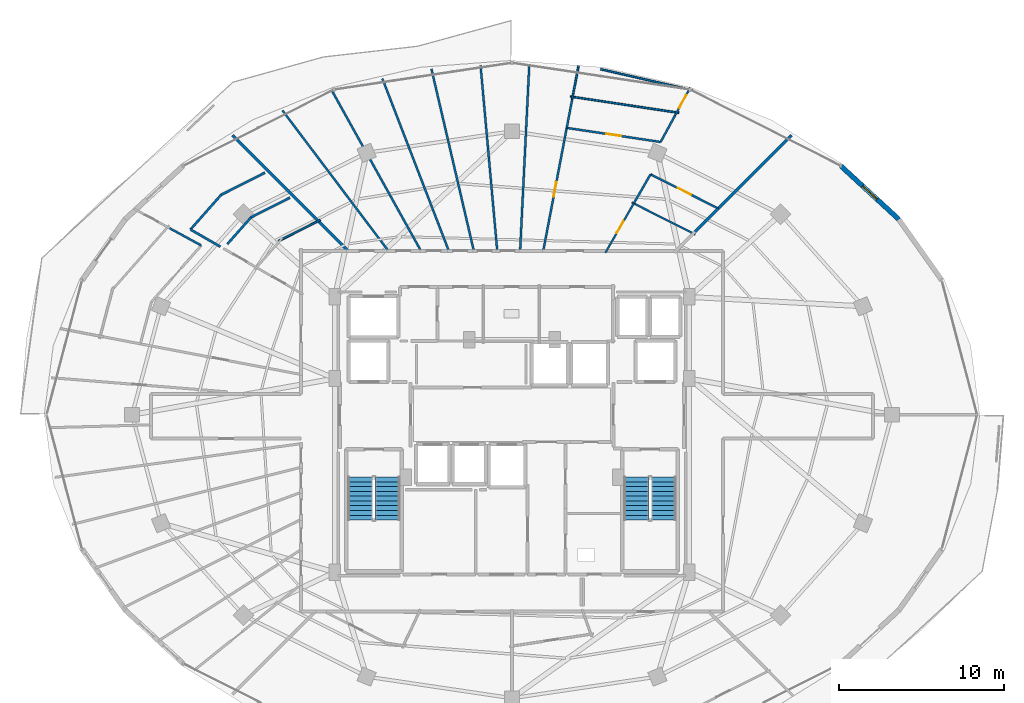
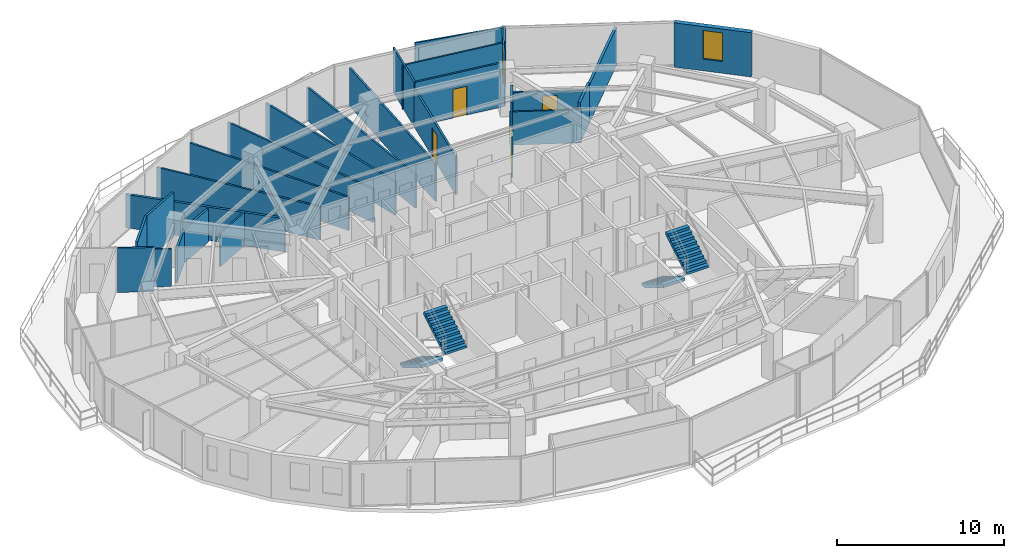
# One storey, part 29 of 33: 29 walls, 5 doors, 4 stair flights, 1 window, 6 openings, 2 elements without a shape of their own.
"""IFC4 building model written with IfcOpenShell, lengths in metres."""

import ifcopenshell
import ifcopenshell.guid

model = None  # the IFC model being written
_history = None  # IfcOwnerHistory: only IFC2X3 demands one
_inside = {}  # id of a spatial element -> (the spatial element, [elements in it])
_under = {}  # id of a project, library or spatial element -> (it, [spatial elements below it])
_declared = {}  # id of a project -> (the project, [libraries it declares])
_typed = {}  # id of a type object -> (the type object, [elements of that type])
_made_of = {}  # id of a material, layer set ... -> (it, [elements and type objects made of it])


def new_model(schema):
    """Start an empty IFC model of exactly this schema.

    Asked for "IFC4X3", IfcOpenShell would pick the latest addendum, in which some entities
    have other attributes; the version numbers below select the first issue.
    IFC2X3 requires an IfcOwnerHistory on every rooted entity: one is made here for all.
    """
    global model, _history
    if schema == "IFC4X3":
        model = ifcopenshell.file(schema_version=(4, 3, 0, 0))
    else:
        model = ifcopenshell.file(schema=schema)
    _inside.clear()
    _under.clear()
    _declared.clear()
    _typed.clear()
    _made_of.clear()
    _history = None
    if model.schema == "IFC2X3":
        org = make("IfcOrganization", Name="unknown")
        user = make(
            "IfcPersonAndOrganization",
            ThePerson=make("IfcPerson", FamilyName="unknown"),
            TheOrganization=org,
        )
        app = make(
            "IfcApplication",
            ApplicationDeveloper=org,
            Version="unknown",
            ApplicationFullName="unknown",
            ApplicationIdentifier="unknown",
        )
        _history = make(
            "IfcOwnerHistory",
            OwningUser=user,
            OwningApplication=app,
            ChangeAction="ADDED",
            CreationDate=0,
        )
    return model


def make(cls, **values):
    """One entity of the class cls with the attributes given. An attribute that is None is left unset."""
    return model.create_entity(
        cls, **{name: value for name, value in values.items() if value is not None}
    )


def rooted(cls, **values):
    """An entity with a GlobalId (a new one), such as an element, a storey or a relation."""
    return make(cls, GlobalId=ifcopenshell.guid.new(), OwnerHistory=_history, **values)


def si_unit(unit_type, name, prefix=None):
    """IfcSIUnit, for example si_unit("LENGTHUNIT", "METRE", prefix="MILLI")."""
    return make("IfcSIUnit", UnitType=unit_type, Prefix=prefix, Name=name)


def assignment(units):
    """IfcUnitAssignment: the units of a project."""
    return None if units is None else make("IfcUnitAssignment", Units=units)


def point(xyz):
    """IfcCartesianPoint."""
    return None if xyz is None else make("IfcCartesianPoint", Coordinates=xyz)


def direction(xyz):
    """IfcDirection."""
    return None if xyz is None else make("IfcDirection", DirectionRatios=xyz)


def frame(location, z_axis=None, x_axis=None):
    """IfcAxis2Placement3D, a coordinate frame: its origin and axes. An axis left out is left unset."""
    return make(
        "IfcAxis2Placement3D",
        Location=point(location),
        Axis=direction(z_axis),
        RefDirection=direction(x_axis),
    )


def frame_2d(location, x_axis=None):
    """IfcAxis2Placement2D, a coordinate frame in the plane: its origin and x axis."""
    return make(
        "IfcAxis2Placement2D", Location=point(location), RefDirection=direction(x_axis)
    )


def origin():
    """The frame at (0, 0, 0) with its axes left unset."""
    return frame((0.0, 0.0, 0.0))


def place(relative_to, where):
    """IfcLocalPlacement: puts the frame where relative to a parent placement (None: the world)."""
    return make(
        "IfcLocalPlacement", PlacementRelTo=relative_to, RelativePlacement=where
    )


def context(
    kind, dimensions, precision=None, world=None, true_north=None, identifier=None
):
    """IfcGeometricRepresentationContext, for example the 3D "Model" context."""
    return make(
        "IfcGeometricRepresentationContext",
        ContextIdentifier=identifier,
        ContextType=kind,
        CoordinateSpaceDimension=dimensions,
        Precision=precision,
        WorldCoordinateSystem=world,
        TrueNorth=true_north,
    )


def subcontext(parent, identifier, kind, view, scale=None):
    """IfcGeometricRepresentationSubContext, for example "Body" below "Model"."""
    return make(
        "IfcGeometricRepresentationSubContext",
        ContextIdentifier=identifier,
        ContextType=kind,
        ParentContext=parent,
        TargetScale=scale,
        TargetView=view,
    )


def project(units=None, contexts=None):
    """IfcProject with its units and contexts."""
    return rooted(
        "IfcProject",
        Name="project",
        RepresentationContexts=contexts,
        UnitsInContext=assignment(units),
    )


def spatial(cls, under=None, at=None, **own):
    """A site, building, storey or space (cls), placed at a placement, below another one or the project."""
    s = rooted(cls, ObjectPlacement=at, **own)
    if under is not None:
        _under.setdefault(under.id(), (under, []))[1].append(s)
    return s


def polyline(points):
    """IfcPolyline through the points."""
    return make("IfcPolyline", Points=[point(p) for p in points])


def profile(cls, at=None, kind="AREA", **sizes):
    """A parametric profile (cls). Its sizes go by their IFC names, for example OverallWidth=200.0."""
    return make(cls, ProfileType=kind, Position=at, **sizes)


def rectangle(**sizes):
    """IfcRectangleProfileDef."""
    return profile("IfcRectangleProfileDef", **sizes)


def outline(outer, holes=None, kind="AREA"):
    """IfcArbitraryClosedProfileDef: a profile drawn as a closed curve; with holes, ...WithVoids."""
    if holes is None:
        return make("IfcArbitraryClosedProfileDef", ProfileType=kind, OuterCurve=outer)
    return make(
        "IfcArbitraryProfileDefWithVoids",
        ProfileType=kind,
        OuterCurve=outer,
        InnerCurves=holes,
    )


def extrude(swept, where, along, depth):
    """IfcExtrudedAreaSolid: the profile swept, set in the frame where, extruded along a direction by depth."""
    return make(
        "IfcExtrudedAreaSolid",
        SweptArea=swept,
        Position=where,
        ExtrudedDirection=direction(along),
        Depth=depth,
    )


def shape(context_of_items, identifier, shape_type, items):
    """IfcShapeRepresentation: the items that make up one representation, for example the "Body"."""
    return make(
        "IfcShapeRepresentation",
        ContextOfItems=context_of_items,
        RepresentationIdentifier=identifier,
        RepresentationType=shape_type,
        Items=items,
    )


def material(Name=None, Category=None):
    """IfcMaterial."""
    return make("IfcMaterial", Name=Name, Category=Category)


def layer(
    of_material, thickness, ventilated=None, Name=None, Category=None, Priority=None
):
    """IfcMaterialLayer: one layer of a wall or slab, of a material (None: an air gap)."""
    return make(
        "IfcMaterialLayer",
        Material=of_material,
        LayerThickness=thickness,
        IsVentilated=ventilated,
        Name=Name,
        Category=Category,
        Priority=Priority,
    )


def layer_set(layers, Name=None):
    """IfcMaterialLayerSet."""
    return make("IfcMaterialLayerSet", MaterialLayers=layers, LayerSetName=Name)


def made_of(thing, what):
    """Note that an element or type object is made of a material, layer set ...; save() writes the relation."""
    if what is not None:
        _made_of.setdefault(what.id(), (what, []))[1].append(thing)
    return thing


def type_object(cls, material=None, **own):
    """A type object (cls), such as IfcWallType, which elements share."""
    return made_of(rooted(cls, **own), material)


def element(
    cls,
    number,
    at=None,
    inside=None,
    cuts=None,
    type_object=None,
    material=None,
    context=None,
    identifier="Body",
    shape_type=None,
    held_by="IfcProductDefinitionShape",
    body=None,
    shapes=None,
    **own,
):
    """One element of the class cls, such as IfcWall. Its Tag is "e" and its number.

    at: its placement. inside: the storey or other place that contains it. cuts: it is an
    opening in that element (IfcRelVoidsElement). A single representation is given by context,
    identifier, shape_type and body (its items); several are given by shapes. held_by: the class
    of the entity that holds the representations. save() writes the other relations.
    """
    e = rooted(cls, Tag="e%d" % number, ObjectPlacement=at, **own)
    if body is not None:
        shapes = [shape(context, identifier, shape_type, body)]
    if shapes is not None:
        e.Representation = make(held_by, Representations=shapes)
    if inside is not None:
        _inside.setdefault(inside.id(), (inside, []))[1].append(e)
    if cuts is not None:
        rooted(
            "IfcRelVoidsElement", RelatingBuildingElement=cuts, RelatedOpeningElement=e
        )
    if type_object is not None:
        _typed.setdefault(type_object.id(), (type_object, []))[1].append(e)
    return made_of(e, material)


def fill(opening, filler):
    """IfcRelFillsElement: the door or window that sits in an opening."""
    return rooted(
        "IfcRelFillsElement",
        RelatingOpeningElement=opening,
        RelatedBuildingElement=filler,
    )


def aggregate(whole, parts):
    """IfcRelAggregates: a whole, such as a stair, and the parts it consists of."""
    return rooted("IfcRelAggregates", RelatingObject=whole, RelatedObjects=parts)


def save(model, path):
    """Write the relations noted so far, then the file.

    IfcRelAggregates (storeys below a building ...), IfcRelContainedInSpatialStructure (elements
    in a storey), IfcRelDefinesByType, IfcRelAssociatesMaterial and IfcRelDeclares: one each for
    every whole, place, type object, material and project.
    """
    for whole, parts in _under.values():
        aggregate(whole, parts)
    for where, things in _inside.values():
        rooted(
            "IfcRelContainedInSpatialStructure",
            RelatedElements=things,
            RelatingStructure=where,
        )
    for kind, things in _typed.values():
        rooted("IfcRelDefinesByType", RelatedObjects=things, RelatingType=kind)
    for what, things in _made_of.values():
        rooted("IfcRelAssociatesMaterial", RelatedObjects=things, RelatingMaterial=what)
    for by, libraries in _declared.values():
        rooted("IfcRelDeclares", RelatingContext=by, RelatedDefinitions=libraries)
    model.write(path)


model = new_model("IFC4")

# Units and contexts
model_context = context("Model", 3, precision=1e-05, world=origin(), true_north=direction((0.0, 1.0)))
body_context = subcontext(model_context, "Body", "Model", "MODEL_VIEW")
ifc_project = project(units=[si_unit("LENGTHUNIT", "METRE"), si_unit("AREAUNIT", "SQUARE_METRE"), si_unit("VOLUMEUNIT", "CUBIC_METRE"), si_unit("PLANEANGLEUNIT", "RADIAN"), si_unit("MASSUNIT", "GRAM", prefix="KILO")], contexts=[model_context])

# Site, building, storey
site_placement = place(None, origin())
site = spatial("IfcSite", under=ifc_project, at=site_placement, CompositionType="ELEMENT")
building_placement = place(site_placement, origin())
building = spatial("IfcBuilding", under=site, at=building_placement, Name="Vorneva Point Tower", CompositionType="ELEMENT")
storey_placement = place(building_placement, frame((0.0, 0.0, 196.60009765625)))
storey = spatial("IfcBuildingStorey", under=building, at=storey_placement, Name="L53", CompositionType="ELEMENT", Elevation=196.60009765625)

# Wall, opening, window
ifc_material_1 = material(Name="Precast concrete B50 (C40/50)", Category="concrete")
ifc_layer_1 = layer(ifc_material_1, 0.300048828125)
ifc_layer_set_1 = layer_set([ifc_layer_1], Name="Precast concrete B50 (C40/50)")
wall_type_1 = type_object("IfcWallType", Name="WL-EXT-300", PredefinedType="STANDARD", material=ifc_layer_set_1)
wall_1_placement = place(storey_placement, frame((61.472412109375, 37.861328125, 0.0), z_axis=(0.0, 0.0, 1.0), x_axis=(-0.735359993374, 0.677676678177, 0.0)))
wall_1 = element("IfcWall", 1, at=wall_1_placement, inside=storey, type_object=wall_type_1, Name="L53 Pale-Metal Facade Spandrel Wall 02.2", PredefinedType="STANDARD", context=body_context, shape_type="SweptSolid", body=[
    extrude(rectangle(XDim=4.774169921875, YDim=0.300048828125, at=frame_2d((2.38720703125, 0.0))), origin(), (0.0, 0.0, 1.0), 3.239990234375),
])
opening_1_placement = place(wall_1_placement, frame((1.787109375, 0.0, 0.85009765625)))
opening_1 = element("IfcOpeningElement", 2, at=opening_1_placement, cuts=wall_1, Name="Opening W-04", PredefinedType="OPENING", context=body_context, shape_type="SweptSolid", body=[
    extrude(rectangle(XDim=1.199951171875, YDim=2.10009765625, at=frame_2d((0.60009765625, 1.050048828125))), frame((0.0, 0.1650390625, 0.0), z_axis=(0.0, -1.0, 0.0), x_axis=(1.0, 0.0, 0.0)), (0.0, 0.0, 1.0), 0.329833984375),
])
ifc_material_2 = material(Name="Double low-e laminated glass IGU", Category="glass")
window_type = type_object("IfcWindowType", Name="WN-RES-1200", PartitioningType="SINGLE_PANEL", PredefinedType="WINDOW", material=ifc_material_2)
window_placement = place(opening_1_placement, origin())
window = element("IfcWindow", 3, at=window_placement, inside=storey, type_object=window_type, Name="L53 Facade Window 02", OverallHeight=2.10009765625, OverallWidth=1.199951171875, PartitioningType="SINGLE_PANEL", PredefinedType="WINDOW", context=body_context, shape_type="SweptSolid", body=[
    extrude(rectangle(XDim=1.199951171875, YDim=2.10009765625, at=frame_2d((0.60009765625, 1.050048828125))), frame((0.0, 0.030029296875, 0.0), z_axis=(0.0, -1.0, 0.0), x_axis=(1.0, 0.0, 0.0)), (0.0, 0.0, 1.0), 0.06005859375),
])
fill(opening_1, window)

# Wall, opening, door
ifc_material_3 = material(Name="Fire-rated acoustic gypsum stud partition", Category="gypsum")
ifc_layer_2 = layer(ifc_material_3, 0.110107421875)
ifc_layer_set_2 = layer_set([ifc_layer_2], Name="Fire-rated acoustic gypsum stud partition")
wall_type_2 = type_object("IfcWallType", Name="WL-PART-110", PredefinedType="PARTITIONING", material=ifc_layer_set_2)
wall_2_placement = place(storey_placement, frame((43.6640625, 35.82861328125, 0.0), z_axis=(0.0, 0.0, 1.0), x_axis=(0.49917767271, 0.866499654396, 0.0)))
wall_2 = element("IfcWall", 4, at=wall_2_placement, inside=storey, type_object=wall_type_2, Name="L53 Interior Partition 070", PredefinedType="PARTITIONING", context=body_context, shape_type="SweptSolid", body=[
    extrude(rectangle(XDim=3.595703125, YDim=0.110107421875, at=frame_2d((1.7978515625, 0.0))), origin(), (0.0, 0.0, 1.0), 2.971923828125),
])
opening_2_placement = place(wall_2_placement, frame((1.372802734375, 0.0, 0.0)))
opening_2 = element("IfcOpeningElement", 5, at=opening_2_placement, cuts=wall_2, Name="Opening ID-02", PredefinedType="OPENING", context=body_context, shape_type="SweptSolid", body=[
    extrude(rectangle(XDim=0.85009765625, YDim=2.10009765625, at=frame_2d((0.425048828125, 1.050048828125))), frame((0.0, 0.06982421875, 0.0), z_axis=(0.0, -1.0, 0.0), x_axis=(1.0, 0.0, 0.0)), (0.0, 0.0, 1.0), 0.139892578125),
])
ifc_material_4 = material(Name="Engineered oak fire-rated door leaf", Category="wood")
door_type_1 = type_object("IfcDoorType", Name="DR-BATH-850", OperationType="NOTDEFINED", PredefinedType="DOOR", material=ifc_material_4)
door_1_placement = place(opening_2_placement, origin())
door_1 = element("IfcDoor", 6, at=door_1_placement, inside=storey, type_object=door_type_1, Name="L53 Door Living and Dining Room L53-01 / Bathroom L53-01", OperationType="SINGLE_SWING_LEFT", OverallHeight=2.10009765625, OverallWidth=0.85009765625, PredefinedType="DOOR", context=body_context, shape_type="SweptSolid", body=[
    extrude(rectangle(XDim=0.85009765625, YDim=2.10009765625, at=frame_2d((0.425048828125, 1.050048828125))), frame((0.0, 0.02490234375, 0.0), z_axis=(0.0, -1.0, 0.0), x_axis=(1.0, 0.0, 0.0)), (0.0, 0.0, 1.0), 0.050048828125),
])
fill(opening_2, door_1)

# Wall
wall_3_placement = place(storey_placement, frame((48.947509765625, 45.689697265625, 0.0), z_axis=(0.0, 0.0, 1.0), x_axis=(-0.974613198555, 0.223895317508, 0.0)))
element("IfcWall", 7, at=wall_3_placement, inside=storey, type_object=wall_type_2, Name="L53 Interior Partition 071", PredefinedType="PARTITIONING", context=body_context, shape_type="SweptSolid", body=[
    extrude(rectangle(XDim=5.71484375, YDim=0.110107421875, at=frame_2d((2.857421875, 0.0))), origin(), (0.0, 0.0, 1.0), 3.239990234375),
])

# Wall, opening, door
wall_4_placement = place(storey_placement, frame((48.819091796875, 45.85693359375, 0.0), z_axis=(0.0, 0.0, 1.0), x_axis=(-0.478311376557, -0.878190313689, 0.0)))
wall_4 = element("IfcWall", 8, at=wall_4_placement, inside=storey, type_object=wall_type_2, Name="L53 Interior Partition 072", PredefinedType="PARTITIONING", context=body_context, shape_type="SweptSolid", body=[
    extrude(rectangle(XDim=1.929931640625, YDim=0.110107421875, at=frame_2d((0.96484375, 0.0))), origin(), (0.0, 0.0, 1.0), 3.239990234375),
])
opening_3_placement = place(wall_4_placement, frame((0.514892578125, 0.0, 0.0)))
opening_3 = element("IfcOpeningElement", 9, at=opening_3_placement, cuts=wall_4, Name="Opening ID-01", PredefinedType="OPENING", context=body_context, shape_type="SweptSolid", body=[
    extrude(rectangle(XDim=0.89990234375, YDim=2.10009765625, at=frame_2d((0.449951171875, 1.050048828125))), frame((0.0, 0.06982421875, 0.0), z_axis=(0.0, -1.0, 0.0), x_axis=(1.0, 0.0, 0.0)), (0.0, 0.0, 1.0), 0.139892578125),
])
door_type_2 = type_object("IfcDoorType", Name="DR-ROOM-900", OperationType="NOTDEFINED", PredefinedType="DOOR", material=ifc_material_4)
door_2_placement = place(opening_3_placement, origin())
door_2 = element("IfcDoor", 10, at=door_2_placement, inside=storey, type_object=door_type_2, Name="L53 Door Living and Dining Room L53-01 / Kitchen L53-01", OperationType="SINGLE_SWING_LEFT", OverallHeight=2.10009765625, OverallWidth=0.89990234375, PredefinedType="DOOR", context=body_context, shape_type="SweptSolid", body=[
    extrude(rectangle(XDim=0.89990234375, YDim=2.10009765625, at=frame_2d((0.449951171875, 1.050048828125))), frame((0.0, 0.02490234375, 0.0), z_axis=(0.0, -1.0, 0.0), x_axis=(1.0, 0.0, 0.0)), (0.0, 0.0, 1.0), 0.050048828125),
])
fill(opening_3, door_2)

# Walls
wall_5_placement = place(storey_placement, frame((45.263916015625, 38.885986328125, 0.0), z_axis=(0.0, 0.0, 1.0), x_axis=(0.892556527512, -0.450935522216, 0.0)))
element("IfcWall", 11, at=wall_5_placement, inside=storey, type_object=wall_type_2, Name="L53 Interior Partition 078", PredefinedType="PARTITIONING", context=body_context, shape_type="SweptSolid", body=[
    extrude(rectangle(XDim=4.32470703125, YDim=0.110107421875, at=frame_2d((2.162353515625, 0.0))), origin(), (0.0, 0.0, 1.0), 2.431884765625),
])
wall_6_placement = place(storey_placement, frame((41.54052734375, 45.311767578125, 0.0), z_axis=(0.0, 0.0, 1.0), x_axis=(0.988873931206, -0.148756002172, 0.0)))
element("IfcWall", 12, at=wall_6_placement, inside=storey, type_object=wall_type_2, Name="L53 Interior Partition 081", PredefinedType="PARTITIONING", context=body_context, shape_type="SweptSolid", body=[
    extrude(rectangle(XDim=6.6650390625, YDim=0.110107421875, at=frame_2d((3.33251953125, 0.0))), origin(), (0.0, 0.0, 1.0), 3.239990234375),
])
wall_7_placement = place(storey_placement, frame((42.041259765625, 47.1875, 0.0), z_axis=(0.0, 0.0, 1.0), x_axis=(-0.187605166264, -0.982244522301, 0.0)))
element("IfcWall", 13, at=wall_7_placement, inside=storey, type_object=wall_type_2, Name="L53 Interior Partition 082", PredefinedType="PARTITIONING", context=body_context, shape_type="SweptSolid", body=[
    extrude(rectangle(XDim=2.070556640625, YDim=0.110107421875, at=frame_2d((1.03515625, 0.0))), origin(), (0.0, 0.0, 1.0), 3.239990234375),
])
wall_8_placement = place(storey_placement, frame((23.845947265625, 36.5458984375, 0.0), z_axis=(0.0, 0.0, 1.0), x_axis=(0.892553076465, 0.450942352959, 0.0)))
element("IfcWall", 14, at=wall_8_placement, inside=storey, type_object=wall_type_2, Name="L53 Interior Partition 100", PredefinedType="PARTITIONING", context=body_context, shape_type="SweptSolid", body=[
    extrude(rectangle(XDim=2.82568359375, YDim=0.110107421875, at=frame_2d((1.412841796875, 0.0))), origin(), (0.0, 0.0, 1.0), 2.431884765625),
])

# Wall, opening, door
ifc_layer_3 = layer(ifc_material_3, 0.125)
ifc_layer_set_3 = layer_set([ifc_layer_3], Name="Fire-rated acoustic gypsum stud partition")
wall_type_3 = type_object("IfcWallType", Name="WL-PART-125", PredefinedType="PARTITIONING", material=ifc_layer_set_3)
wall_9_placement = place(storey_placement, frame((46.407958984375, 40.592041015625, 0.0), z_axis=(0.0, 0.0, 1.0), x_axis=(0.89252026196, -0.451007297049, 0.0)))
wall_9 = element("IfcWall", 15, at=wall_9_placement, inside=storey, type_object=wall_type_3, Name="L53 Interior Partition 068", PredefinedType="PARTITIONING", context=body_context, shape_type="SweptSolid", body=[
    extrude(rectangle(XDim=4.602783203125, YDim=0.125, at=frame_2d((2.30126953125, 0.0))), origin(), (0.0, 0.0, 1.0), 2.431884765625),
])
opening_4_placement = place(wall_9_placement, frame((1.851318359375, 0.0, 0.0)))
opening_4 = element("IfcOpeningElement", 16, at=opening_4_placement, cuts=wall_9, Name="Opening ID-01", PredefinedType="OPENING", context=body_context, shape_type="SweptSolid", body=[
    extrude(rectangle(XDim=0.89990234375, YDim=2.10009765625, at=frame_2d((0.449951171875, 1.050048828125))), frame((0.0, 0.077392578125, 0.0), z_axis=(0.0, -1.0, 0.0), x_axis=(1.0, 0.0, 0.0)), (0.0, 0.0, 1.0), 0.15478515625),
])
door_3_placement = place(opening_4_placement, origin())
door_3 = element("IfcDoor", 17, at=door_3_placement, inside=storey, type_object=door_type_2, Name="L53 Door Living and Dining Room L53-01 / Family Dining Room L53-01", OperationType="SINGLE_SWING_RIGHT", OverallHeight=2.10009765625, OverallWidth=0.89990234375, PredefinedType="DOOR", context=body_context, shape_type="SweptSolid", body=[
    extrude(rectangle(XDim=0.89990234375, YDim=2.10009765625, at=frame_2d((0.449951171875, 1.050048828125))), frame((0.0, 0.02490234375, 0.0), z_axis=(0.0, -1.0, 0.0), x_axis=(1.0, 0.0, 0.0)), (0.0, 0.0, 1.0), 0.050048828125),
])
fill(opening_4, door_3)

# Walls
wall_10_placement = place(storey_placement, frame((45.388916015625, 38.822998046875, 0.0), z_axis=(0.0, 0.0, 1.0), x_axis=(0.499149502221, 0.866515882389, 0.0)))
element("IfcWall", 18, at=wall_10_placement, inside=storey, type_object=wall_type_3, Name="L53 Interior Partition 069", PredefinedType="PARTITIONING", context=body_context, shape_type="SweptSolid", body=[
    extrude(rectangle(XDim=2.04150390625, YDim=0.125, at=frame_2d((1.020751953125, 0.0))), origin(), (0.0, 0.0, 1.0), 2.921875),
])
wall_11_placement = place(storey_placement, frame((47.895751953125, 44.162109375, 0.0), z_axis=(0.0, 0.0, 1.0), x_axis=(-0.47839521225, -0.87814464691, 0.0)))
element("IfcWall", 19, at=wall_11_placement, inside=storey, type_object=wall_type_3, Name="L53 Interior Partition 073", PredefinedType="PARTITIONING", context=body_context, shape_type="SweptSolid", body=[
    extrude(rectangle(XDim=1.834716796875, YDim=0.125, at=frame_2d((0.91748046875, 0.0))), origin(), (0.0, 0.0, 1.0), 3.239990234375),
])

# Wall, opening, door
wall_12_placement = place(storey_placement, frame((47.01806640625, 42.551025390625, 0.0), z_axis=(0.0, 0.0, 1.0), x_axis=(-0.98887565722, 0.148744527827, 0.0)))
wall_12 = element("IfcWall", 20, at=wall_12_placement, inside=storey, type_object=wall_type_3, Name="L53 Interior Partition 074", PredefinedType="PARTITIONING", context=body_context, shape_type="SweptSolid", body=[
    extrude(rectangle(XDim=5.76123046875, YDim=0.125, at=frame_2d((2.880615234375, 0.0))), origin(), (0.0, 0.0, 1.0), 3.239990234375),
])
opening_5_placement = place(wall_12_placement, frame((2.430419921875, 0.0, 0.0)))
opening_5 = element("IfcOpeningElement", 21, at=opening_5_placement, cuts=wall_12, Name="Opening ID-01", PredefinedType="OPENING", context=body_context, shape_type="SweptSolid", body=[
    extrude(rectangle(XDim=0.89990234375, YDim=2.10009765625, at=frame_2d((0.449951171875, 1.050048828125))), frame((0.0, 0.077392578125, 0.0), z_axis=(0.0, -1.0, 0.0), x_axis=(1.0, 0.0, 0.0)), (0.0, 0.0, 1.0), 0.15478515625),
])
door_4_placement = place(opening_5_placement, origin())
door_4 = element("IfcDoor", 22, at=door_4_placement, inside=storey, type_object=door_type_2, Name="L53 Door Living and Dining Room L53-01 / Study Room L53-01", OperationType="SINGLE_SWING_RIGHT", OverallHeight=2.10009765625, OverallWidth=0.89990234375, PredefinedType="DOOR", context=body_context, shape_type="SweptSolid", body=[
    extrude(rectangle(XDim=0.89990234375, YDim=2.10009765625, at=frame_2d((0.449951171875, 1.050048828125))), frame((0.0, 0.02490234375, 0.0), z_axis=(0.0, -1.0, 0.0), x_axis=(1.0, 0.0, 0.0)), (0.0, 0.0, 1.0), 0.050048828125),
])
fill(opening_5, door_4)

# Wall
wall_13_placement = place(storey_placement, frame((41.321044921875, 43.407958984375, 0.0), z_axis=(0.0, 0.0, 1.0), x_axis=(0.187217449549, 0.982318495491, 0.0)))
element("IfcWall", 23, at=wall_13_placement, inside=storey, type_object=wall_type_3, Name="L53 Interior Partition 075", PredefinedType="PARTITIONING", context=body_context, shape_type="SweptSolid", body=[
    extrude(rectangle(XDim=1.9169921875, YDim=0.125, at=frame_2d((0.95849609375, 0.0))), origin(), (0.0, 0.0, 1.0), 3.239990234375),
])

# Wall, opening, door
wall_14_placement = place(storey_placement, frame((41.32080078125, 43.407958984375, 0.0), z_axis=(0.0, 0.0, 1.0), x_axis=(-0.187401709503, -0.982283359971, 0.0)))
wall_14 = element("IfcWall", 24, at=wall_14_placement, inside=storey, type_object=wall_type_3, Name="L53 Interior Partition 076", PredefinedType="PARTITIONING", context=body_context, shape_type="SweptSolid", body=[
    extrude(rectangle(XDim=7.592529296875, YDim=0.125, at=frame_2d((3.79638671875, 0.0))), origin(), (0.0, 0.0, 1.0), 2.77392578125),
])
opening_6_placement = place(wall_14_placement, frame((3.34619140625, 0.0, 0.0)))
opening_6 = element("IfcOpeningElement", 25, at=opening_6_placement, cuts=wall_14, Name="Opening ID-01", PredefinedType="OPENING", context=body_context, shape_type="SweptSolid", body=[
    extrude(rectangle(XDim=0.89990234375, YDim=2.10009765625, at=frame_2d((0.449951171875, 1.050048828125))), frame((0.0, 0.077392578125, 0.0), z_axis=(0.0, -1.0, 0.0), x_axis=(1.0, 0.0, 0.0)), (0.0, 0.0, 1.0), 0.15478515625),
])
door_5_placement = place(opening_6_placement, origin())
door_5 = element("IfcDoor", 26, at=door_5_placement, inside=storey, type_object=door_type_2, Name="L53 Door Living and Dining Room L53-01 / Master Bedroom L53-01.1", OperationType="SINGLE_SWING_LEFT", OverallHeight=2.10009765625, OverallWidth=0.89990234375, PredefinedType="DOOR", context=body_context, shape_type="SweptSolid", body=[
    extrude(rectangle(XDim=0.89990234375, YDim=2.10009765625, at=frame_2d((0.449951171875, 1.050048828125))), frame((0.0, 0.02490234375, 0.0), z_axis=(0.0, -1.0, 0.0), x_axis=(1.0, 0.0, 0.0)), (0.0, 0.0, 1.0), 0.050048828125),
])
fill(opening_6, door_5)

# Walls
wall_15_placement = place(storey_placement, frame((39.051025390625, 47.27099609375, 0.0), z_axis=(0.0, 0.0, 1.0), x_axis=(-0.049324203907, -0.998782820692, 0.0)))
element("IfcWall", 27, at=wall_15_placement, inside=storey, type_object=wall_type_3, Name="L53 Interior Partition 083", PredefinedType="PARTITIONING", context=body_context, shape_type="SweptSolid", body=[
    extrude(rectangle(XDim=11.3349609375, YDim=0.125, at=frame_2d((5.66748046875, 0.0))), origin(), (0.0, 0.0, 1.0), 2.77392578125),
])
wall_16_placement = place(storey_placement, frame((36.091064453125, 47.20703125, 0.0), z_axis=(0.0, 0.0, 1.0), x_axis=(0.089620343685, -0.995976000714, 0.0)))
element("IfcWall", 28, at=wall_16_placement, inside=storey, type_object=wall_type_3, Name="L53 Interior Partition 084", PredefinedType="PARTITIONING", context=body_context, shape_type="SweptSolid", body=[
    extrude(rectangle(XDim=11.302490234375, YDim=0.125, at=frame_2d((5.6513671875, 0.0))), origin(), (0.0, 0.0, 1.0), 2.431884765625),
])
wall_17_placement = place(storey_placement, frame((33.111083984375, 46.985107421875, 0.0), z_axis=(0.0, 0.0, 1.0), x_axis=(0.226889028745, -0.973920617214, 0.0)))
element("IfcWall", 29, at=wall_17_placement, inside=storey, type_object=wall_type_3, Name="L53 Interior Partition 085", PredefinedType="PARTITIONING", context=body_context, shape_type="SweptSolid", body=[
    extrude(rectangle(XDim=11.33056640625, YDim=0.125, at=frame_2d((5.665283203125, 0.0))), origin(), (0.0, 0.0, 1.0), 2.431884765625),
])
wall_18_placement = place(storey_placement, frame((30.135009765625, 46.39794921875, 0.0), z_axis=(0.0, 0.0, 1.0), x_axis=(0.359727007777, -0.933057597298, 0.0)))
element("IfcWall", 30, at=wall_18_placement, inside=storey, type_object=wall_type_3, Name="L53 Interior Partition 086", PredefinedType="PARTITIONING", context=body_context, shape_type="SweptSolid", body=[
    extrude(rectangle(XDim=11.197509765625, YDim=0.125, at=frame_2d((5.5986328125, 0.0))), origin(), (0.0, 0.0, 1.0), 2.431884765625),
])
wall_19_placement = place(storey_placement, frame((27.069091796875, 45.673095703125, 0.0), z_axis=(0.0, 0.0, 1.0), x_axis=(0.485717471054, -0.874115860921, 0.0)))
element("IfcWall", 31, at=wall_19_placement, inside=storey, type_object=wall_type_3, Name="L53 Interior Partition 087", PredefinedType="PARTITIONING", context=body_context, shape_type="SweptSolid", body=[
    extrude(rectangle(XDim=11.123291015625, YDim=0.125, at=frame_2d((5.5615234375, 0.0))), origin(), (0.0, 0.0, 1.0), 2.431884765625),
])
wall_20_placement = place(storey_placement, frame((24.074951171875, 44.4599609375, 0.0), z_axis=(0.0, 0.0, 1.0), x_axis=(0.602185523072, -0.798356183544, 0.0)))
element("IfcWall", 32, at=wall_20_placement, inside=storey, type_object=wall_type_3, Name="L53 Interior Partition 088", PredefinedType="PARTITIONING", context=body_context, shape_type="SweptSolid", body=[
    extrude(rectangle(XDim=10.659423828125, YDim=0.125, at=frame_2d((5.32958984375, 0.0))), origin(), (0.0, 0.0, 1.0), 2.431884765625),
])
wall_21_placement = place(storey_placement, frame((17.22900390625, 37.31689453125, 0.0), z_axis=(0.0, 0.0, 1.0), x_axis=(0.878117834212, -0.47844442649, 0.0)))
element("IfcWall", 33, at=wall_21_placement, inside=storey, type_object=wall_type_3, Name="L53 Interior Partition 094", PredefinedType="PARTITIONING", context=body_context, shape_type="SweptSolid", body=[
    extrude(rectangle(XDim=2.181884765625, YDim=0.125, at=frame_2d((1.0908203125, 0.0))), origin(), (0.0, 0.0, 1.0), 3.239990234375),
])
ifc_layer_4 = layer(ifc_material_3, 0.139892578125)
ifc_layer_set_4 = layer_set([ifc_layer_4], Name="Fire-rated acoustic gypsum stud partition")
wall_type_4 = type_object("IfcWallType", Name="WL-PART-140", PredefinedType="PARTITIONING", material=ifc_layer_set_4)
wall_22_placement = place(storey_placement, frame((18.489990234375, 37.241943359375, 0.0), z_axis=(0.0, 0.0, 1.0), x_axis=(0.662371376331, 0.749175653513, 0.0)))
element("IfcWall", 34, at=wall_22_placement, inside=storey, type_object=wall_type_4, Name="L53 Interior Closure Partition 149", PredefinedType="PARTITIONING", context=body_context, shape_type="SweptSolid", body=[
    extrude(rectangle(XDim=2.809814453125, YDim=0.139892578125, at=frame_2d((1.40478515625, 0.0))), origin(), (0.0, 0.0, 1.0), 3.239990234375),
])
wall_23_placement = place(storey_placement, frame((20.35107421875, 39.346923828125, 0.0), z_axis=(0.0, 0.0, 1.0), x_axis=(0.89244587056, 0.451154483653, 0.0)))
element("IfcWall", 35, at=wall_23_placement, inside=storey, type_object=wall_type_4, Name="L53 Interior Closure Partition 150", PredefinedType="PARTITIONING", context=body_context, shape_type="SweptSolid", body=[
    extrude(rectangle(XDim=2.970458984375, YDim=0.139892578125, at=frame_2d((1.4853515625, 0.0))), origin(), (0.0, 0.0, 1.0), 3.239990234375),
])
wall_24_placement = place(storey_placement, frame((20.300048828125, 36.198974609375, 0.0), z_axis=(0.0, 0.0, 1.0), x_axis=(-0.86645395742, 0.499256987604, 0.0)))
element("IfcWall", 36, at=wall_24_placement, inside=storey, type_object=wall_type_4, Name="L53 Interior Closure Partition 151", PredefinedType="PARTITIONING", context=body_context, shape_type="SweptSolid", body=[
    extrude(rectangle(XDim=2.089111328125, YDim=0.139892578125, at=frame_2d((1.04443359375, 0.0))), origin(), (0.0, 0.0, 1.0), 2.77392578125),
])
wall_25_placement = place(storey_placement, frame((24.51904296875, 39.169921875, 0.0), z_axis=(0.0, 0.0, 1.0), x_axis=(-0.89247840077, -0.451090128643, 0.0)))
element("IfcWall", 37, at=wall_25_placement, inside=storey, type_object=wall_type_4, Name="L53 Interior Closure Partition 152", PredefinedType="PARTITIONING", context=body_context, shape_type="SweptSolid", body=[
    extrude(rectangle(XDim=2.642333984375, YDim=0.139892578125, at=frame_2d((1.3212890625, 0.0))), origin(), (0.0, 0.0, 1.0), 2.431884765625),
])
wall_26_placement = place(storey_placement, frame((22.160888671875, 37.97802734375, 0.0), z_axis=(0.0, 0.0, 1.0), x_axis=(-0.662476802918, -0.749082429106, 0.0)))
element("IfcWall", 38, at=wall_26_placement, inside=storey, type_object=wall_type_4, Name="L53 Interior Closure Partition 153", PredefinedType="PARTITIONING", context=body_context, shape_type="SweptSolid", body=[
    extrude(rectangle(XDim=2.170654296875, YDim=0.139892578125, at=frame_2d((1.08544921875, 0.0))), origin(), (0.0, 0.0, 1.0), 2.431884765625),
])
ifc_layer_5 = layer(ifc_material_3, 0.159912109375)
ifc_layer_set_5 = layer_set([ifc_layer_5], Name="Fire-rated acoustic gypsum stud partition")
wall_type_5 = type_object("IfcWallType", Name="WL-PART-160", PredefinedType="PARTITIONING", material=ifc_layer_set_5)
wall_27_placement = place(storey_placement, frame((50.51611328125, 38.51611328125, 0.0), z_axis=(0.0, 0.0, 1.0), x_axis=(0.707106781187, 0.707106781187, 0.0)))
element("IfcWall", 39, at=wall_27_placement, inside=storey, type_object=wall_type_5, Name="L53 Interior Partition 077", PredefinedType="PARTITIONING", context=body_context, shape_type="SweptSolid", body=[
    extrude(rectangle(XDim=6.283203125, YDim=0.159912109375, at=frame_2d((3.1416015625, 0.0))), origin(), (0.0, 0.0, 1.0), 2.77392578125),
])
wall_28_placement = place(storey_placement, frame((48.9990234375, 36.9990234375, 0.0), z_axis=(0.0, 0.0, 1.0), x_axis=(0.707106781187, 0.707106781187, 0.0)))
element("IfcWall", 40, at=wall_28_placement, inside=storey, type_object=wall_type_5, Name="L53 Interior Partition 079", PredefinedType="PARTITIONING", context=body_context, shape_type="SweptSolid", body=[
    extrude(rectangle(XDim=2.1455078125, YDim=0.159912109375, at=frame_2d((1.07275390625, 0.0))), origin(), (0.0, 0.0, 1.0), 2.921875),
])
wall_29_placement = place(storey_placement, frame((21.041015625, 42.958984375, 0.0), z_axis=(0.0, 0.0, 1.0), x_axis=(0.707106781187, -0.707106781187, 0.0)))
element("IfcWall", 41, at=wall_29_placement, inside=storey, type_object=wall_type_5, Name="L53 Interior Partition 089", PredefinedType="PARTITIONING", context=body_context, shape_type="SweptSolid", body=[
    extrude(rectangle(XDim=9.912353515625, YDim=0.159912109375, at=frame_2d((4.9560546875, 0.0))), origin(), (0.0, 0.0, 1.0), 2.431884765625),
])

# Stair, stair flights
ifc_material_5 = material(Name="Concrete B50 (C40/50)", Category="concrete")
stair_type = type_object("IfcStairType", Name="ST-DOG-1500", PredefinedType="HALF_TURN_STAIR", material=ifc_material_5)
stair_1_placement = place(storey_placement, origin())
stair_1 = element("IfcStair", 42, at=stair_1_placement, inside=storey, type_object=stair_type, Name="L53 ST1", PredefinedType="HALF_TURN_STAIR")
stair_flight_type = type_object("IfcStairFlightType", Name="STF-1500", PredefinedType="STRAIGHT", material=ifc_material_5)
stair_flight_1_placement = place(storey_placement, frame((28.800048828125, 22.219970703125, 0.0), z_axis=(0.0, 0.0, 1.0), x_axis=(0.0, -1.0, 0.0)))
stair_flight_1 = element("IfcStairFlight", 43, at=stair_flight_1_placement, type_object=stair_flight_type, Name="ST1 flight 1", NumberOfRisers=10, NumberOfTreads=9, PredefinedType="STRAIGHT", RiserHeight=0.175, TreadLength=0.29, context=body_context, shape_type="SweptSolid", body=[
    extrude(outline(polyline([(0.0, 0.0), (0.0, 0.175048828125), (0.2900390625, 0.175048828125), (0.2900390625, 0.35009765625), (0.580078125, 0.35009765625), (0.580078125, 0.52490234375), (0.8701171875, 0.52490234375), (0.8701171875, 0.699951171875), (1.159912109375, 0.699951171875), (1.159912109375, 0.875), (1.449951171875, 0.875), (1.449951171875, 1.050048828125), (1.739990234375, 1.050048828125), (1.739990234375, 1.22509765625), (2.030029296875, 1.22509765625), (2.030029296875, 1.39990234375), (2.320068359375, 1.39990234375), (2.320068359375, 1.574951171875), (2.610107421875, 1.574951171875), (2.610107421875, 1.75), (2.610107421875, 1.36474609375), (0.34814453125, 0.0), (0.0, 0.0)])), frame((0.0, 0.75, 0.0), z_axis=(0.0, -1.0, 0.0), x_axis=(1.0, 0.0, 0.0)), (0.0, 0.0, 1.0), 1.5),
])
stair_flight_2_placement = place(storey_placement, frame((30.449951171875, 19.610107421875, 1.75), z_axis=(0.0, 0.0, 1.0), x_axis=(0.0, 1.0, 0.0)))
stair_flight_2 = element("IfcStairFlight", 44, at=stair_flight_2_placement, type_object=stair_flight_type, Name="ST1 flight 2", NumberOfRisers=10, NumberOfTreads=9, PredefinedType="STRAIGHT", RiserHeight=0.175, TreadLength=0.29, context=body_context, shape_type="SweptSolid", body=[
    extrude(outline(polyline([(0.0, 0.0), (0.0, 0.175048828125), (0.2900390625, 0.175048828125), (0.2900390625, 0.35009765625), (0.580078125, 0.35009765625), (0.580078125, 0.52490234375), (0.8701171875, 0.52490234375), (0.8701171875, 0.699951171875), (1.159912109375, 0.699951171875), (1.159912109375, 0.875), (1.449951171875, 0.875), (1.449951171875, 1.050048828125), (1.739990234375, 1.050048828125), (1.739990234375, 1.22509765625), (2.030029296875, 1.22509765625), (2.030029296875, 1.39990234375), (2.320068359375, 1.39990234375), (2.320068359375, 1.574951171875), (2.610107421875, 1.574951171875), (2.610107421875, 1.75), (2.610107421875, 1.36474609375), (0.34814453125, 0.0), (0.0, 0.0)])), frame((0.0, 0.75, 0.0), z_axis=(0.0, -1.0, 0.0), x_axis=(1.0, 0.0, 0.0)), (0.0, 0.0, 1.0), 1.5),
])
aggregate(stair_1, [stair_flight_1, stair_flight_2])

stair_2_placement = place(storey_placement, origin())
stair_2 = element("IfcStair", 45, at=stair_2_placement, inside=storey, type_object=stair_type, Name="L53 ST2", PredefinedType="HALF_TURN_STAIR")
stair_flight_3_placement = place(storey_placement, frame((45.550048828125, 22.219970703125, 0.0), z_axis=(0.0, 0.0, 1.0), x_axis=(0.0, -1.0, 0.0)))
stair_flight_3 = element("IfcStairFlight", 46, at=stair_flight_3_placement, type_object=stair_flight_type, Name="ST2 flight 1", NumberOfRisers=10, NumberOfTreads=9, PredefinedType="STRAIGHT", RiserHeight=0.175, TreadLength=0.29, context=body_context, shape_type="SweptSolid", body=[
    extrude(outline(polyline([(0.0, 0.0), (0.0, 0.175048828125), (0.2900390625, 0.175048828125), (0.2900390625, 0.35009765625), (0.580078125, 0.35009765625), (0.580078125, 0.52490234375), (0.8701171875, 0.52490234375), (0.8701171875, 0.699951171875), (1.159912109375, 0.699951171875), (1.159912109375, 0.875), (1.449951171875, 0.875), (1.449951171875, 1.050048828125), (1.739990234375, 1.050048828125), (1.739990234375, 1.22509765625), (2.030029296875, 1.22509765625), (2.030029296875, 1.39990234375), (2.320068359375, 1.39990234375), (2.320068359375, 1.574951171875), (2.610107421875, 1.574951171875), (2.610107421875, 1.75), (2.610107421875, 1.36474609375), (0.34814453125, 0.0), (0.0, 0.0)])), frame((0.0, 0.75, 0.0), z_axis=(0.0, -1.0, 0.0), x_axis=(1.0, 0.0, 0.0)), (0.0, 0.0, 1.0), 1.5),
])
stair_flight_4_placement = place(storey_placement, frame((47.199951171875, 19.610107421875, 1.75), z_axis=(0.0, 0.0, 1.0), x_axis=(0.0, 1.0, 0.0)))
stair_flight_4 = element("IfcStairFlight", 47, at=stair_flight_4_placement, type_object=stair_flight_type, Name="ST2 flight 2", NumberOfRisers=10, NumberOfTreads=9, PredefinedType="STRAIGHT", RiserHeight=0.175, TreadLength=0.29, context=body_context, shape_type="SweptSolid", body=[
    extrude(outline(polyline([(0.0, 0.0), (0.0, 0.175048828125), (0.2900390625, 0.175048828125), (0.2900390625, 0.35009765625), (0.580078125, 0.35009765625), (0.580078125, 0.52490234375), (0.8701171875, 0.52490234375), (0.8701171875, 0.699951171875), (1.159912109375, 0.699951171875), (1.159912109375, 0.875), (1.449951171875, 0.875), (1.449951171875, 1.050048828125), (1.739990234375, 1.050048828125), (1.739990234375, 1.22509765625), (2.030029296875, 1.22509765625), (2.030029296875, 1.39990234375), (2.320068359375, 1.39990234375), (2.320068359375, 1.574951171875), (2.610107421875, 1.574951171875), (2.610107421875, 1.75), (2.610107421875, 1.36474609375), (0.34814453125, 0.0), (0.0, 0.0)])), frame((0.0, 0.75, 0.0), z_axis=(0.0, -1.0, 0.0), x_axis=(1.0, 0.0, 0.0)), (0.0, 0.0, 1.0), 1.5),
])
aggregate(stair_2, [stair_flight_3, stair_flight_4])

save(model, "model.ifc")
